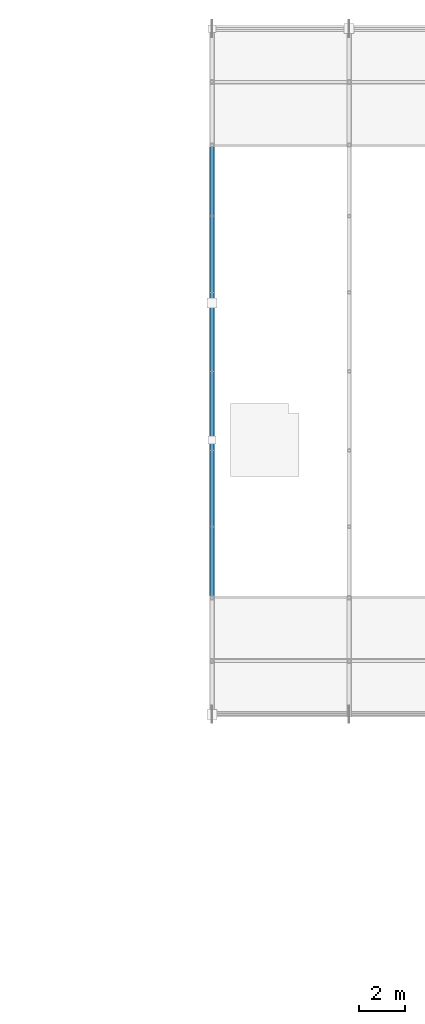
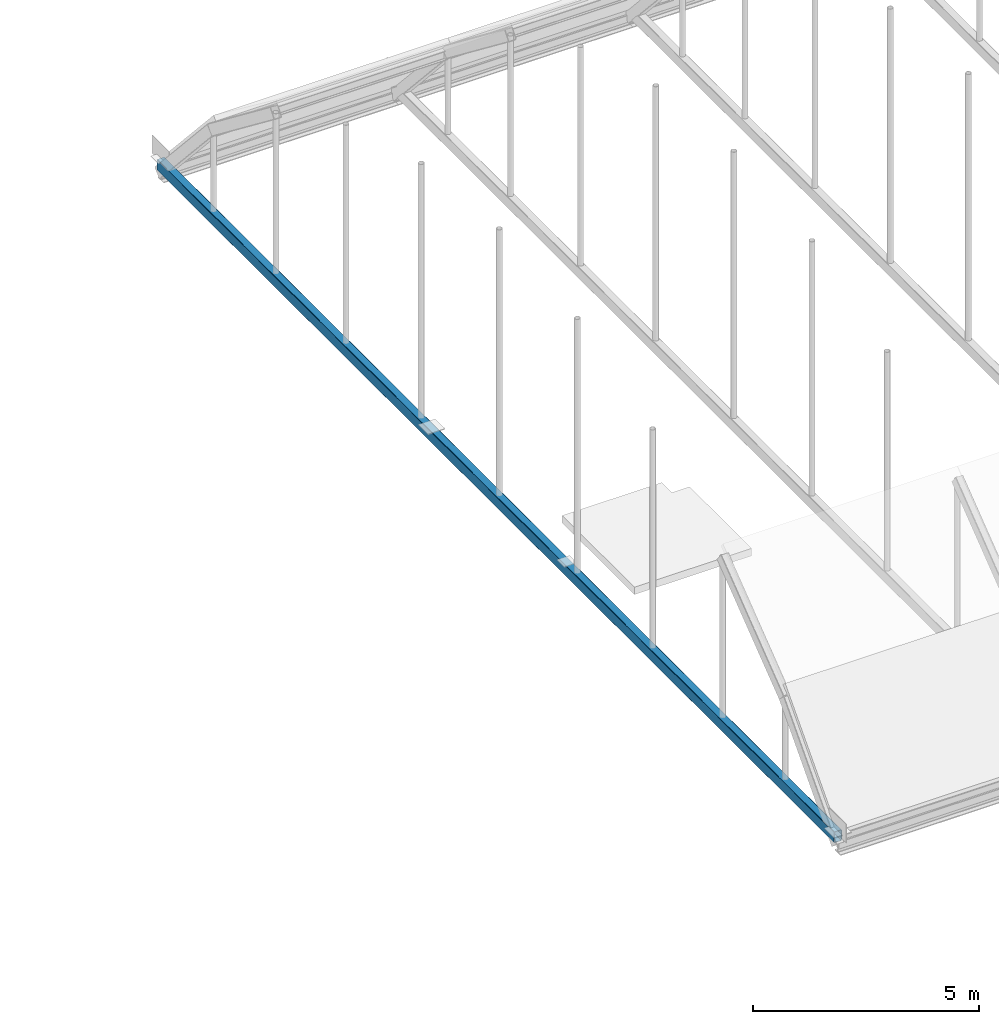
# One storey, part 19 of 63: 1 member.
"""IFC4 building model written with IfcOpenShell, lengths in metres."""

from ifc_helpers import new_model, si_unit, direction, frame, origin, origin_2d, place, context, subcontext, project, spatial, hollow_rectangle, extrude, material, material_profile, profile_set, type_object, element, save


model = new_model("IFC4")

# Units and contexts
model_context = context("Model", 3, precision=1e-05, world=origin(), true_north=direction((0.0, 1.0)))
body_context = subcontext(model_context, "Body", "Model", "MODEL_VIEW")
ifc_project = project(units=[si_unit("LENGTHUNIT", "METRE"), si_unit("AREAUNIT", "SQUARE_METRE"), si_unit("VOLUMEUNIT", "CUBIC_METRE"), si_unit("PLANEANGLEUNIT", "RADIAN"), si_unit("MASSUNIT", "GRAM", prefix="KILO")], contexts=[model_context])

# Site, building, storey
site_placement = place(None, origin())
site = spatial("IfcSite", under=ifc_project, at=site_placement, CompositionType="ELEMENT")
building_placement = place(site_placement, origin())
building = spatial("IfcBuilding", under=site, at=building_placement, Name="Varnakota Square Police Headquarters", CompositionType="ELEMENT")
storey_placement = place(building_placement, frame((0.0, 0.0, 22.199951171875)))
storey = spatial("IfcBuildingStorey", under=building, at=storey_placement, Name="L05", CompositionType="ELEMENT", Elevation=22.199951171875)

# Member
ifc_material = material(Name="Steel IS 2062 Grade 350", Category="steel")
ifc_material_profile = material_profile(ifc_material, hollow_rectangle(XDim=0.199951171875, YDim=0.300048828125, WallThickness=0.011962890625, InnerFilletRadius=0.011962890625, OuterFilletRadius=0.02392578125, at=origin_2d()), Name="RHS 300x200x12")
ifc_profile_set = profile_set([ifc_material_profile], Name="Steel IS 2062 Grade 350")
member_type = type_object("IfcMemberType", Name="MEM-TIE-RHS300", PredefinedType="CHORD", material=ifc_profile_set)
member_placement = place(storey_placement, frame((60.0, 69.0, -0.14990234375), z_axis=(0.0, 1.0, 0.0), x_axis=(-1.0, 0.0, 0.0)))
element("IfcMember", 1, at=member_placement, inside=storey, type_object=member_type, Name="Barrel vault tie rod V2-R01", PredefinedType="CHORD", context=body_context, shape_type="SweptSolid", body=[
    extrude(hollow_rectangle(XDim=0.199951171875, YDim=0.300048828125, WallThickness=0.011962890625, InnerFilletRadius=0.011962890625, OuterFilletRadius=0.02392578125, at=origin_2d()), origin(), (0.0, 0.0, 1.0), 30.0),
])

save(model, "model.ifc")
